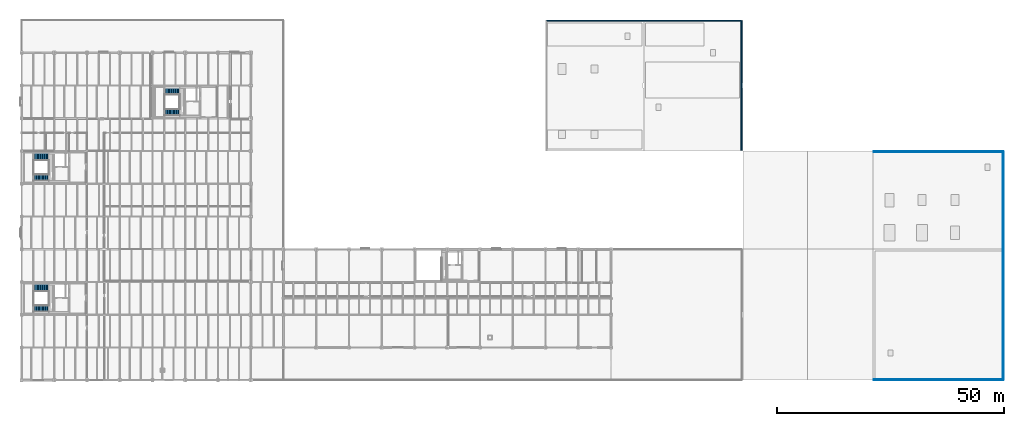
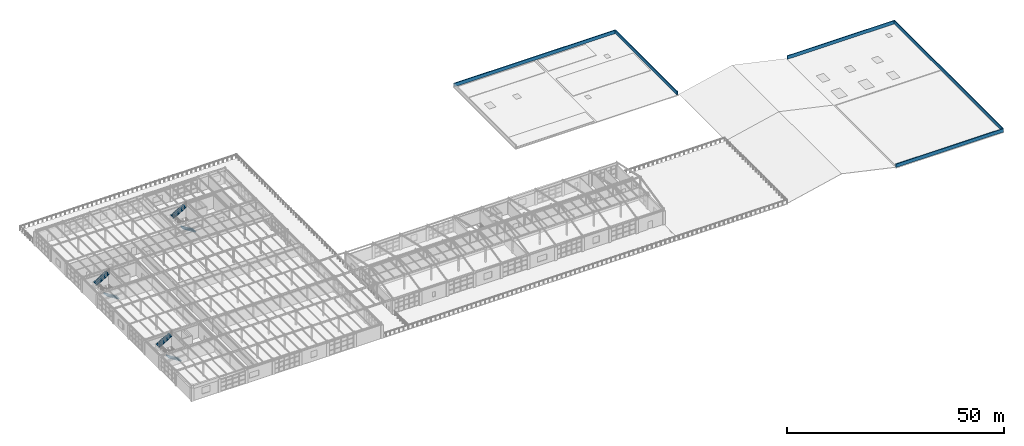
# One storey, part 96 of 101: 6 stair flights, 5 walls, 3 elements without a shape of their own.
"""IFC4 building model written with IfcOpenShell, lengths in metres."""

from ifc_helpers import new_model, si_unit, direction, frame, frame_2d, origin, place, context, subcontext, project, spatial, polyline, rectangle, outline, extrude, material, layer, layer_set, type_object, element, aggregate, save


model = new_model("IFC4")

# Units and contexts
model_context = context("Model", 3, precision=1e-05, world=origin(), true_north=direction((0.0, 1.0)))
body_context = subcontext(model_context, "Body", "Model", "MODEL_VIEW")
ifc_project = project(units=[si_unit("LENGTHUNIT", "METRE"), si_unit("AREAUNIT", "SQUARE_METRE"), si_unit("VOLUMEUNIT", "CUBIC_METRE"), si_unit("PLANEANGLEUNIT", "RADIAN"), si_unit("MASSUNIT", "GRAM", prefix="KILO")], contexts=[model_context])

# Site, building, storey
site_placement = place(None, origin())
site = spatial("IfcSite", under=ifc_project, at=site_placement, CompositionType="ELEMENT")
building_placement = place(site_placement, origin())
building = spatial("IfcBuilding", under=site, at=building_placement, Name="Kemerveld Promenade Tramway Depot", CompositionType="ELEMENT")
storey_placement = place(building_placement, frame((0.0, 0.0, 9.89990234375)))
storey = spatial("IfcBuildingStorey", under=building, at=storey_placement, Name="L02", CompositionType="ELEMENT", Elevation=9.89990234375)

# Walls
ifc_material_1 = material(Name="Clay brick coped parapet wall", Category="masonry")
ifc_layer_1 = layer(ifc_material_1, 0.215087890625)
ifc_layer_set_1 = layer_set([ifc_layer_1], Name="WL-PAR-215")
wall_type_1 = type_object("IfcWallType", Name="WL-PAR-215", PredefinedType="PARAPET", material=ifc_layer_set_1)
wall_1_placement = place(storey_placement, frame((215.8798828125, 50.280029296875, 0.0), z_axis=(0.0, 0.0, 1.0), x_axis=(0.0, -1.0, 0.0)))
element("IfcWall", 1, at=wall_1_placement, inside=storey, type_object=wall_type_1, Name="PAR-V2-E", PredefinedType="PARAPET", context=body_context, shape_type="SweptSolid", body=[
    extrude(rectangle(XDim=50.159912109375, YDim=0.215087890625, at=frame_2d((25.080078125, 0.0))), origin(), (0.0, 0.0, 1.0), 0.9501953125),
])
for number, where, z_axis, x_axis, name in (
    (2, (215.8798828125, 0.1201171875, 0.0), (0.0, 0.0, 1.0), (-1.0, 0.0, 0.0), "PAR-V2-S"),
    (3, (187.320068359375, 50.280029296875, 0.0), (0.0, 0.0, 1.0), (1.0, 0.0, 0.0), "PAR-V2-N"),
):
    element("IfcWall", number, at=place(storey_placement, frame(where, z_axis=z_axis, x_axis=x_axis)), inside=storey, type_object=wall_type_1, Name=name, PredefinedType="PARAPET", context=body_context, shape_type="SweptSolid", body=[
        extrude(rectangle(XDim=28.559814453125, YDim=0.215087890625, at=frame_2d((14.27978515625, 0.0))), origin(), (0.0, 0.0, 1.0), 0.9501953125),
    ])
ifc_material_2 = material(Name="Harare granite coped parapet masonry", Category="masonry")
ifc_layer_2 = layer(ifc_material_2, 0.239990234375)
ifc_layer_set_2 = layer_set([ifc_layer_2], Name="WL-PAR-240")
wall_type_2 = type_object("IfcWallType", Name="WL-PAR-240", PredefinedType="PARAPET", material=ifc_layer_set_2)
wall_2_placement = place(storey_placement, frame((115.320068359375, 79.080078125, 0.0), z_axis=(0.0, 0.0, 1.0), x_axis=(1.0, 0.0, 0.0)))
element("IfcWall", 4, at=wall_2_placement, inside=storey, type_object=wall_type_2, Name="PAR-V3-N", PredefinedType="PARAPET", context=body_context, shape_type="SweptSolid", body=[
    extrude(rectangle(XDim=42.9599609375, YDim=0.239990234375, at=frame_2d((21.47998046875, 0.0))), origin(), (0.0, 0.0, 1.0), 0.9501953125),
])
wall_3_placement = place(storey_placement, frame((158.280029296875, 79.080078125, 0.0), z_axis=(0.0, 0.0, 1.0), x_axis=(0.0, -1.0, 0.0)))
element("IfcWall", 5, at=wall_3_placement, inside=storey, type_object=wall_type_2, Name="PAR-V3-E", PredefinedType="PARAPET", context=body_context, shape_type="SweptSolid", body=[
    extrude(rectangle(XDim=28.56005859375, YDim=0.239990234375, at=frame_2d((14.280029296875, 0.0))), origin(), (0.0, 0.0, 1.0), 0.9501953125),
])

# Stair, stair flights
ifc_material_3 = material(Name="Concrete C40/50", Category="concrete")
stair_type_1 = type_object("IfcStairType", Name="STR-HT-TYP", PredefinedType="HALF_TURN_STAIR", material=ifc_material_3)
stair_1_placement = place(storey_placement, origin())
stair_1 = element("IfcStair", 6, at=stair_1_placement, inside=storey, type_object=stair_type_1, Name="ST-01-L02", PredefinedType="HALF_TURN_STAIR")
ifc_layer_3 = layer(ifc_material_3, 0.159912109375)
ifc_layer_set_3 = layer_set([ifc_layer_3], Name="FLT-02")
stair_flight_type_1 = type_object("IfcStairFlightType", Name="FLT-02", PredefinedType="STRAIGHT", material=ifc_layer_set_3)
stair_flight_1_placement = place(storey_placement, frame((5.97998046875, 15.719970703125, 0.0), z_axis=(0.0, 0.0, 1.0), x_axis=(-1.0, 0.0, 0.0)))
stair_flight_1 = element("IfcStairFlight", 7, at=stair_flight_1_placement, type_object=stair_flight_type_1, Name="ST-01-L02 flight 1", NumberOfRisers=13, NumberOfTreads=12, PredefinedType="STRAIGHT", RiserHeight=0.173076923, TreadLength=0.285, context=body_context, shape_type="SweptSolid", body=[
    extrude(outline(polyline([(0.0, 0.0), (0.0, 0.173095703125), (0.284912109375, 0.173095703125), (0.284912109375, 0.34619140625), (0.570068359375, 0.34619140625), (0.570068359375, 0.519287109375), (0.85498046875, 0.519287109375), (0.85498046875, 0.6923828125), (1.139892578125, 0.6923828125), (1.139892578125, 0.865478515625), (1.425048828125, 0.865478515625), (1.425048828125, 1.03857421875), (1.7099609375, 1.03857421875), (1.7099609375, 1.21142578125), (1.9951171875, 1.21142578125), (1.9951171875, 1.384521484375), (2.280029296875, 1.384521484375), (2.280029296875, 1.5576171875), (2.56494140625, 1.5576171875), (2.56494140625, 1.730712890625), (2.85009765625, 1.730712890625), (2.85009765625, 1.90380859375), (3.135009765625, 1.90380859375), (3.135009765625, 2.076904296875), (3.419921875, 2.076904296875), (3.419921875, 2.25), (3.419921875, 1.889892578125), (0.30810546875, 0.0), (0.0, 0.0)])), frame((0.0, 0.72509765625, 0.0), z_axis=(0.0, -1.0, 0.0), x_axis=(1.0, 0.0, 0.0)), (0.0, 0.0, 1.0), 1.449951171875),
])
stair_flight_2_placement = place(storey_placement, frame((2.610107421875, 20.280029296875, 2.25), z_axis=(0.0, 0.0, 1.0), x_axis=(1.0, 0.0, 0.0)))
stair_flight_2 = element("IfcStairFlight", 8, at=stair_flight_2_placement, type_object=stair_flight_type_1, Name="ST-01-L02 flight 2", NumberOfRisers=13, NumberOfTreads=12, PredefinedType="STRAIGHT", RiserHeight=0.173076923, TreadLength=0.285, context=body_context, shape_type="SweptSolid", body=[
    extrude(outline(polyline([(0.0, 0.0), (0.0, 0.173095703125), (0.284912109375, 0.173095703125), (0.284912109375, 0.34619140625), (0.570068359375, 0.34619140625), (0.570068359375, 0.519287109375), (0.85498046875, 0.519287109375), (0.85498046875, 0.6923828125), (1.139892578125, 0.6923828125), (1.139892578125, 0.865478515625), (1.425048828125, 0.865478515625), (1.425048828125, 1.03857421875), (1.7099609375, 1.03857421875), (1.7099609375, 1.21142578125), (1.9951171875, 1.21142578125), (1.9951171875, 1.384521484375), (2.280029296875, 1.384521484375), (2.280029296875, 1.5576171875), (2.56494140625, 1.5576171875), (2.56494140625, 1.730712890625), (2.85009765625, 1.730712890625), (2.85009765625, 1.90380859375), (3.135009765625, 1.90380859375), (3.135009765625, 2.076904296875), (3.419921875, 2.076904296875), (3.419921875, 2.25), (3.419921875, 1.889892578125), (0.30810546875, 0.0), (0.0, 0.0)])), frame((0.0, 0.72509765625, 0.0), z_axis=(0.0, -1.0, 0.0), x_axis=(1.0, 0.0, 0.0)), (0.0, 0.0, 1.0), 1.449951171875),
])
aggregate(stair_1, [stair_flight_1, stair_flight_2])

stair_2_placement = place(storey_placement, origin())
stair_2 = element("IfcStair", 9, at=stair_2_placement, inside=storey, type_object=stair_type_1, Name="ST-02-L02", PredefinedType="HALF_TURN_STAIR")
stair_flight_3_placement = place(storey_placement, frame((5.97998046875, 44.52001953125, 0.0), z_axis=(0.0, 0.0, 1.0), x_axis=(-1.0, 0.0, 0.0)))
stair_flight_3 = element("IfcStairFlight", 10, at=stair_flight_3_placement, type_object=stair_flight_type_1, Name="ST-02-L02 flight 1", NumberOfRisers=13, NumberOfTreads=12, PredefinedType="STRAIGHT", RiserHeight=0.173076923, TreadLength=0.285, context=body_context, shape_type="SweptSolid", body=[
    extrude(outline(polyline([(0.0, 0.0), (0.0, 0.173095703125), (0.284912109375, 0.173095703125), (0.284912109375, 0.34619140625), (0.570068359375, 0.34619140625), (0.570068359375, 0.519287109375), (0.85498046875, 0.519287109375), (0.85498046875, 0.6923828125), (1.139892578125, 0.6923828125), (1.139892578125, 0.865478515625), (1.425048828125, 0.865478515625), (1.425048828125, 1.03857421875), (1.7099609375, 1.03857421875), (1.7099609375, 1.21142578125), (1.9951171875, 1.21142578125), (1.9951171875, 1.384521484375), (2.280029296875, 1.384521484375), (2.280029296875, 1.5576171875), (2.56494140625, 1.5576171875), (2.56494140625, 1.730712890625), (2.85009765625, 1.730712890625), (2.85009765625, 1.90380859375), (3.135009765625, 1.90380859375), (3.135009765625, 2.076904296875), (3.419921875, 2.076904296875), (3.419921875, 2.25), (3.419921875, 1.889892578125), (0.30810546875, 0.0), (0.0, 0.0)])), frame((0.0, 0.72509765625, 0.0), z_axis=(0.0, -1.0, 0.0), x_axis=(1.0, 0.0, 0.0)), (0.0, 0.0, 1.0), 1.449951171875),
])
stair_flight_4_placement = place(storey_placement, frame((2.610107421875, 49.080078125, 2.25), z_axis=(0.0, 0.0, 1.0), x_axis=(1.0, 0.0, 0.0)))
stair_flight_4 = element("IfcStairFlight", 11, at=stair_flight_4_placement, type_object=stair_flight_type_1, Name="ST-02-L02 flight 2", NumberOfRisers=13, NumberOfTreads=12, PredefinedType="STRAIGHT", RiserHeight=0.173076923, TreadLength=0.285, context=body_context, shape_type="SweptSolid", body=[
    extrude(outline(polyline([(0.0, 0.0), (0.0, 0.173095703125), (0.284912109375, 0.173095703125), (0.284912109375, 0.34619140625), (0.570068359375, 0.34619140625), (0.570068359375, 0.519287109375), (0.85498046875, 0.519287109375), (0.85498046875, 0.6923828125), (1.139892578125, 0.6923828125), (1.139892578125, 0.865478515625), (1.425048828125, 0.865478515625), (1.425048828125, 1.03857421875), (1.7099609375, 1.03857421875), (1.7099609375, 1.21142578125), (1.9951171875, 1.21142578125), (1.9951171875, 1.384521484375), (2.280029296875, 1.384521484375), (2.280029296875, 1.5576171875), (2.56494140625, 1.5576171875), (2.56494140625, 1.730712890625), (2.85009765625, 1.730712890625), (2.85009765625, 1.90380859375), (3.135009765625, 1.90380859375), (3.135009765625, 2.076904296875), (3.419921875, 2.076904296875), (3.419921875, 2.25), (3.419921875, 1.889892578125), (0.30810546875, 0.0), (0.0, 0.0)])), frame((0.0, 0.72509765625, 0.0), z_axis=(0.0, -1.0, 0.0), x_axis=(1.0, 0.0, 0.0)), (0.0, 0.0, 1.0), 1.449951171875),
])
aggregate(stair_2, [stair_flight_3, stair_flight_4])

stair_type_2 = type_object("IfcStairType", Name="STR-HT-NARROW", PredefinedType="HALF_TURN_STAIR", material=ifc_material_3)
stair_3_placement = place(storey_placement, origin())
stair_3 = element("IfcStair", 12, at=stair_3_placement, inside=storey, type_object=stair_type_2, Name="ST-03-L02", PredefinedType="HALF_TURN_STAIR")
ifc_layer_4 = layer(ifc_material_3, 0.159912109375)
ifc_layer_set_4 = layer_set([ifc_layer_4], Name="FLT-03")
stair_flight_type_2 = type_object("IfcStairFlightType", Name="FLT-03", PredefinedType="STRAIGHT", material=ifc_layer_set_4)
stair_flight_5_placement = place(storey_placement, frame((34.780029296875, 58.919921875, 0.0), z_axis=(0.0, 0.0, 1.0), x_axis=(-1.0, 0.0, 0.0)))
stair_flight_5 = element("IfcStairFlight", 13, at=stair_flight_5_placement, type_object=stair_flight_type_2, Name="ST-03-L02 flight 1", NumberOfRisers=13, NumberOfTreads=12, PredefinedType="STRAIGHT", RiserHeight=0.173076923, TreadLength=0.285, context=body_context, shape_type="SweptSolid", body=[
    extrude(outline(polyline([(0.0, 0.0), (0.0, 0.173095703125), (0.284912109375, 0.173095703125), (0.284912109375, 0.34619140625), (0.570068359375, 0.34619140625), (0.570068359375, 0.519287109375), (0.85498046875, 0.519287109375), (0.85498046875, 0.6923828125), (1.139892578125, 0.6923828125), (1.139892578125, 0.865478515625), (1.425048828125, 0.865478515625), (1.425048828125, 1.03857421875), (1.7099609375, 1.03857421875), (1.7099609375, 1.21142578125), (1.9951171875, 1.21142578125), (1.9951171875, 1.384521484375), (2.280029296875, 1.384521484375), (2.280029296875, 1.5576171875), (2.56494140625, 1.5576171875), (2.56494140625, 1.730712890625), (2.85009765625, 1.730712890625), (2.85009765625, 1.90380859375), (3.135009765625, 1.90380859375), (3.135009765625, 2.076904296875), (3.419921875, 2.076904296875), (3.419921875, 2.25), (3.419921875, 1.889892578125), (0.30810546875, 0.0), (0.0, 0.0)])), frame((0.0, 0.699951171875, 0.0), z_axis=(0.0, -1.0, 0.0), x_axis=(1.0, 0.0, 0.0)), (0.0, 0.0, 1.0), 1.39990234375),
])
stair_flight_6_placement = place(storey_placement, frame((31.409912109375, 63.47998046875, 2.25), z_axis=(0.0, 0.0, 1.0), x_axis=(1.0, 0.0, 0.0)))
stair_flight_6 = element("IfcStairFlight", 14, at=stair_flight_6_placement, type_object=stair_flight_type_2, Name="ST-03-L02 flight 2", NumberOfRisers=13, NumberOfTreads=12, PredefinedType="STRAIGHT", RiserHeight=0.173076923, TreadLength=0.285, context=body_context, shape_type="SweptSolid", body=[
    extrude(outline(polyline([(0.0, 0.0), (0.0, 0.173095703125), (0.284912109375, 0.173095703125), (0.284912109375, 0.34619140625), (0.570068359375, 0.34619140625), (0.570068359375, 0.519287109375), (0.85498046875, 0.519287109375), (0.85498046875, 0.6923828125), (1.139892578125, 0.6923828125), (1.139892578125, 0.865478515625), (1.425048828125, 0.865478515625), (1.425048828125, 1.03857421875), (1.7099609375, 1.03857421875), (1.7099609375, 1.21142578125), (1.9951171875, 1.21142578125), (1.9951171875, 1.384521484375), (2.280029296875, 1.384521484375), (2.280029296875, 1.5576171875), (2.56494140625, 1.5576171875), (2.56494140625, 1.730712890625), (2.85009765625, 1.730712890625), (2.85009765625, 1.90380859375), (3.135009765625, 1.90380859375), (3.135009765625, 2.076904296875), (3.419921875, 2.076904296875), (3.419921875, 2.25), (3.419921875, 1.889892578125), (0.30810546875, 0.0), (0.0, 0.0)])), frame((0.0, 0.699951171875, 0.0), z_axis=(0.0, -1.0, 0.0), x_axis=(1.0, 0.0, 0.0)), (0.0, 0.0, 1.0), 1.39990234375),
])
aggregate(stair_3, [stair_flight_5, stair_flight_6])

save(model, "model.ifc")
